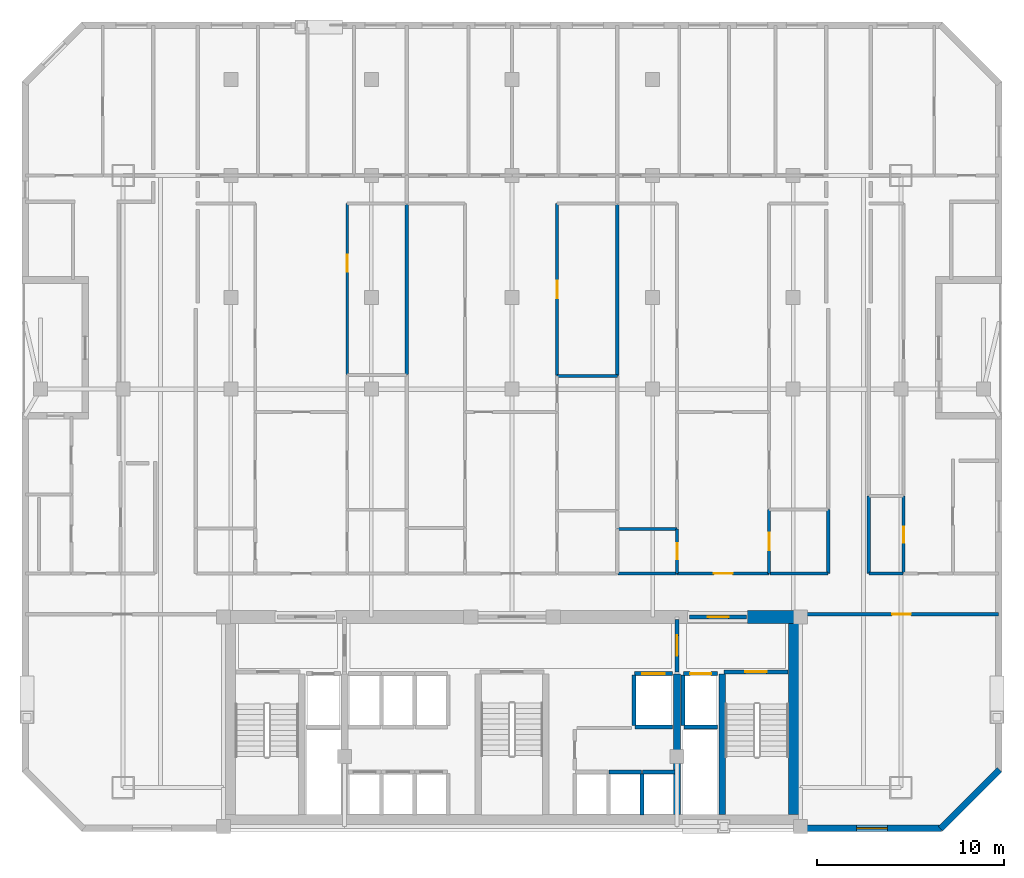
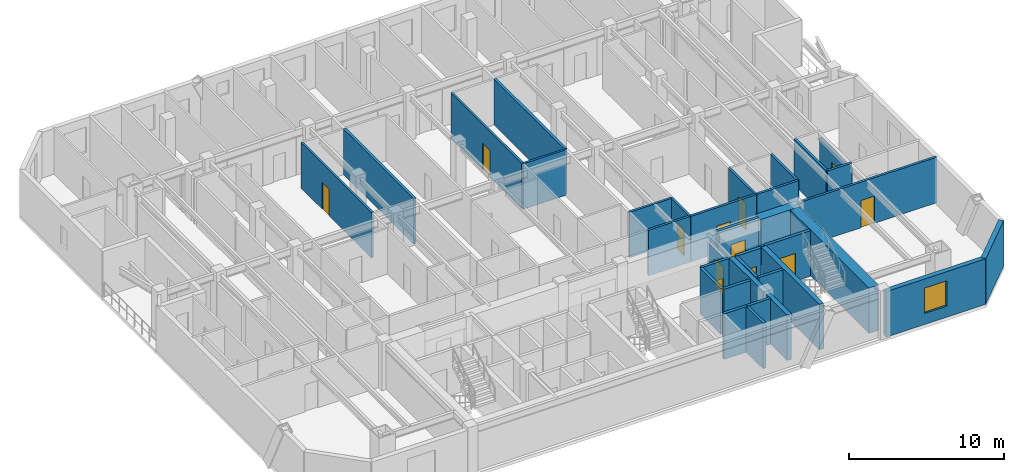
# One storey, part 5 of 11: 34 walls, 12 doors, 1 window, 13 openings.
"""IFC4 building model written with IfcOpenShell, lengths in metres."""

from ifc_helpers import new_model, si_unit, direction, frame, frame_2d, origin, place, context, subcontext, project, spatial, rectangle, extrude, material, layer, layer_set, type_object, element, fill, save


model = new_model("IFC4")

# Units and contexts
model_context = context("Model", 3, precision=1e-05, world=origin(), true_north=direction((0.0, 1.0)))
body_context = subcontext(model_context, "Body", "Model", "MODEL_VIEW")
ifc_project = project(units=[si_unit("LENGTHUNIT", "METRE"), si_unit("AREAUNIT", "SQUARE_METRE"), si_unit("VOLUMEUNIT", "CUBIC_METRE"), si_unit("PLANEANGLEUNIT", "RADIAN"), si_unit("MASSUNIT", "GRAM", prefix="KILO")], contexts=[model_context])

# Site, building, storey
site_placement = place(None, origin())
site = spatial("IfcSite", under=ifc_project, at=site_placement, CompositionType="ELEMENT")
building_placement = place(site_placement, origin())
building = spatial("IfcBuilding", under=site, at=building_placement, Name="Ventersveld Concourse Tower", CompositionType="ELEMENT")
storey_placement = place(building_placement, frame((0.0, 0.0, 111.85009765625)))
storey = spatial("IfcBuildingStorey", under=building, at=storey_placement, Name="L27", CompositionType="ELEMENT", Elevation=111.85009765625)

# Walls
ifc_material_1 = material(Name="Concrete C60/75", Category="concrete")
ifc_layer_1 = layer(ifc_material_1, 0.35009765625)
ifc_layer_set_1 = layer_set([ifc_layer_1], Name="Concrete C60/75")
wall_type_1 = type_object("IfcWallType", Name="WL-CORE-350L", PredefinedType="SHEAR", material=ifc_layer_set_1)
for number, where, z_axis, x_axis, name in (
    (1, (37.550048828125, 0.919921875, 0.0), (0.0, 0.0, 1.0), (0.0, 1.0, 0.0), "L27 Core Internal Shear Web W-SVL-W"),
    (2, (39.9599609375, 0.919921875, 0.0), (0.0, 0.0, 1.0), (0.0, 1.0, 0.0), "L27 Core Internal Shear Web W-ST2-W"),
):
    element("IfcWall", number, at=place(storey_placement, frame(where, z_axis=z_axis, x_axis=x_axis)), inside=storey, type_object=wall_type_1, Name=name, PredefinedType="SHEAR", context=body_context, shape_type="SweptSolid", body=[
        extrude(rectangle(XDim=7.5, YDim=0.35009765625, at=frame_2d((3.75, 0.0))), origin(), (0.0, 0.0, 1.0), 3.599853515625),
    ])
ifc_layer_2 = layer(ifc_material_1, 0.699951171875)
ifc_layer_set_2 = layer_set([ifc_layer_2], Name="Concrete C60/75")
wall_type_2 = type_object("IfcWallType", Name="WL-CORE-700", PredefinedType="SHEAR", material=ifc_layer_set_2)
wall_1_placement = place(storey_placement, frame((43.85009765625, 0.919921875, 0.0), z_axis=(0.0, 0.0, 1.0), x_axis=(0.0, 1.0, 0.0)))
element("IfcWall", 3, at=wall_1_placement, inside=storey, type_object=wall_type_2, Name="L27 Rear Core East Shear Wall", PredefinedType="SHEAR", context=body_context, shape_type="SweptSolid", body=[
    extrude(rectangle(XDim=10.530029296875, YDim=0.699951171875, at=frame_2d((5.26513671875, 0.0))), origin(), (0.0, 0.0, 1.0), 3.599853515625),
])
wall_2_placement = place(storey_placement, frame((41.300048828125, 11.449951171875, 0.0), z_axis=(0.0, 0.0, 1.0), x_axis=(1.0, 0.0, 0.0)))
element("IfcWall", 4, at=wall_2_placement, inside=storey, type_object=wall_type_2, Name="L27 Rear Core North Shear Wall NE", PredefinedType="SHEAR", context=body_context, shape_type="SweptSolid", body=[
    extrude(rectangle(XDim=2.949951171875, YDim=0.699951171875, at=frame_2d((1.47509765625, 0.0))), origin(), (0.0, 0.0, 1.0), 3.599853515625),
])

# Wall, opening, door
ifc_material_2 = material(Name="Fire-rated autoclaved aerated masonry blockwork", Category="masonry")
ifc_layer_3 = layer(ifc_material_2, 0.179931640625)
ifc_layer_set_3 = layer_set([ifc_layer_3], Name="Fire-rated autoclaved aerated masonry blockwork")
wall_type_3 = type_object("IfcWallType", Name="WL-CORR-180", PredefinedType="PARTITIONING", material=ifc_layer_set_3)
wall_3_placement = place(storey_placement, frame((44.35498046875, 11.60009765625, 0.0), z_axis=(0.0, 0.0, 1.0), x_axis=(1.0, 0.0, 0.0)))
wall_3 = element("IfcWall", 5, at=wall_3_placement, inside=storey, type_object=wall_type_3, Name="L27 Interior Partition SP-L27-SE-OFF-SP-L27-COR", PredefinedType="PARTITIONING", context=body_context, shape_type="SweptSolid", body=[
    extrude(rectangle(XDim=10.3349609375, YDim=0.179931640625, at=frame_2d((5.16748046875, 0.0))), origin(), (0.0, 0.0, 1.0), 3.599853515625),
])
opening_1_placement = place(wall_3_placement, frame((4.66748046875, 0.0, 0.0)))
opening_1 = element("IfcOpeningElement", 6, at=opening_1_placement, cuts=wall_3, Name="Opening FD3", PredefinedType="OPENING", context=body_context, shape_type="SweptSolid", body=[
    extrude(rectangle(XDim=1.0, YDim=2.14990234375, at=frame_2d((0.5, 1.074951171875))), frame((0.0, 0.10009765625, 0.0), z_axis=(0.0, -1.0, 0.0), x_axis=(1.0, 0.0, 0.0)), (0.0, 0.0, 1.0), 0.199951171875),
])
ifc_material_3 = material(Name="Solid-core hardwood veneer timber", Category="wood")
door_type_1 = type_object("IfcDoorType", Name="DR-FLAT-100", OperationType="NOTDEFINED", PredefinedType="DOOR", material=ifc_material_3)
door_1_placement = place(opening_1_placement, origin())
door_1 = element("IfcDoor", 7, at=door_1_placement, inside=storey, type_object=door_type_1, Name="L27 Interior Door SP-L27-SE-OFF to SP-L27-COR (D-L27-1321)", OperationType="SINGLE_SWING_LEFT", OverallHeight=2.14990234375, OverallWidth=1.0, PredefinedType="DOOR", context=body_context, shape_type="SweptSolid", body=[
    extrude(rectangle(XDim=1.0, YDim=2.14990234375, at=frame_2d((0.5, 1.074951171875))), frame((0.0, 0.02490234375, 0.0), z_axis=(0.0, -1.0, 0.0), x_axis=(1.0, 0.0, 0.0)), (0.0, 0.0, 1.0), 0.050048828125),
])
fill(opening_1, door_1)

# Walls
wall_4_placement = place(storey_placement, frame((47.7900390625, 13.764892578125, 0.0), z_axis=(0.0, 0.0, 1.0), x_axis=(0.0, 1.0, 0.0)))
element("IfcWall", 8, at=wall_4_placement, inside=storey, type_object=wall_type_3, Name="L27 Interior Partition SP-L27-COR-SP-L27-27NE-BATH", PredefinedType="PARTITIONING", context=body_context, shape_type="SweptSolid", body=[
    extrude(rectangle(XDim=4.136474609375, YDim=0.179931640625, at=frame_2d((2.068359375, 0.0))), origin(), (0.0, 0.0, 1.0), 3.599853515625),
])
wall_5_placement = place(storey_placement, frame((47.784912109375, 13.77001953125, 0.0), z_axis=(0.0, 0.0, 1.0), x_axis=(1.0, 0.0, 0.0)))
element("IfcWall", 9, at=wall_5_placement, inside=storey, type_object=wall_type_3, Name="L27 Interior Partition SP-L27-COR-SP-L27-27NE-BATH", PredefinedType="PARTITIONING", context=body_context, shape_type="SweptSolid", body=[
    extrude(rectangle(XDim=1.822509765625, YDim=0.179931640625, at=frame_2d((0.9111328125, 0.0))), origin(), (0.0, 0.0, 1.0), 3.599853515625),
])

# Wall, opening, door
wall_6_placement = place(storey_placement, frame((37.55419921875, 13.77001953125, 0.0), z_axis=(0.0, 0.0, 1.0), x_axis=(1.0, 0.0, 0.0)))
wall_6 = element("IfcWall", 10, at=wall_6_placement, inside=storey, type_object=wall_type_3, Name="L27 Interior Partition SP-L27-COR-SP-L27-27N3-FOY", PredefinedType="PARTITIONING", context=body_context, shape_type="SweptSolid", body=[
    extrude(rectangle(XDim=4.91748046875, YDim=0.179931640625, at=frame_2d((2.458740234375, 0.0))), origin(), (0.0, 0.0, 1.0), 3.599853515625),
])
opening_2_placement = place(wall_6_placement, frame((1.958740234375, 0.0, 0.0)))
opening_2 = element("IfcOpeningElement", 11, at=opening_2_placement, cuts=wall_6, Name="Opening FD3", PredefinedType="OPENING", context=body_context, shape_type="SweptSolid", body=[
    extrude(rectangle(XDim=1.0, YDim=2.14990234375, at=frame_2d((0.5, 1.074951171875))), frame((0.0, 0.10009765625, 0.0), z_axis=(0.0, -1.0, 0.0), x_axis=(1.0, 0.0, 0.0)), (0.0, 0.0, 1.0), 0.199951171875),
])
door_2_placement = place(opening_2_placement, origin())
door_2 = element("IfcDoor", 12, at=door_2_placement, inside=storey, type_object=door_type_1, Name="L27 Interior Door SP-L27-COR to SP-L27-27N3-FOY (FD-L27-1326)", OperationType="SINGLE_SWING_RIGHT", OverallHeight=2.14990234375, OverallWidth=1.0, PredefinedType="DOOR", context=body_context, shape_type="SweptSolid", body=[
    extrude(rectangle(XDim=1.0, YDim=2.14990234375, at=frame_2d((0.5, 1.074951171875))), frame((0.0, 0.02490234375, 0.0), z_axis=(0.0, -1.0, 0.0), x_axis=(1.0, 0.0, 0.0)), (0.0, 0.0, 1.0), 0.050048828125),
])
fill(opening_2, door_2)

# Walls
wall_7_placement = place(storey_placement, frame((34.405029296875, 13.77001953125, 0.0), z_axis=(0.0, 0.0, 1.0), x_axis=(1.0, 0.0, 0.0)))
element("IfcWall", 13, at=wall_7_placement, inside=storey, type_object=wall_type_3, Name="L27 Interior Partition SP-L27-COR-SP-L27-27N3-BATH", PredefinedType="PARTITIONING", context=body_context, shape_type="SweptSolid", body=[
    extrude(rectangle(XDim=3.119140625, YDim=0.179931640625, at=frame_2d((1.5595703125, 0.0))), origin(), (0.0, 0.0, 1.0), 3.599853515625),
])
wall_8_placement = place(storey_placement, frame((45.610107421875, 13.764892578125, 0.0), z_axis=(0.0, 0.0, 1.0), x_axis=(0.0, 1.0, 0.0)))
element("IfcWall", 14, at=wall_8_placement, inside=storey, type_object=wall_type_3, Name="L27 Interior Partition SP-L27-COR-SP-L27-27N3-KIT", PredefinedType="PARTITIONING", context=body_context, shape_type="SweptSolid", body=[
    extrude(rectangle(XDim=3.4296875, YDim=0.179931640625, at=frame_2d((1.71484375, 0.0))), origin(), (0.0, 0.0, 1.0), 3.599853515625),
])
wall_9_placement = place(storey_placement, frame((42.501708984375, 13.77001953125, 0.0), z_axis=(0.0, 0.0, 1.0), x_axis=(1.0, 0.0, 0.0)))
element("IfcWall", 15, at=wall_9_placement, inside=storey, type_object=wall_type_3, Name="L27 Interior Partition SP-L27-COR-SP-L27-27N3-KIT", PredefinedType="PARTITIONING", context=body_context, shape_type="SweptSolid", body=[
    extrude(rectangle(XDim=3.11328125, YDim=0.179931640625, at=frame_2d((1.556640625, 0.0))), origin(), (0.0, 0.0, 1.0), 3.599853515625),
])
ifc_layer_4 = layer(ifc_material_2, 0.199951171875)
ifc_layer_set_4 = layer_set([ifc_layer_4], Name="Fire-rated autoclaved aerated masonry blockwork")
wall_type_4 = type_object("IfcWallType", Name="WL-DEMISE-200", PredefinedType="PARTITIONING", material=ifc_layer_set_4)
wall_10_placement = place(storey_placement, frame((23.1298828125, 24.385009765625, 0.0), z_axis=(0.0, 0.0, 1.0), x_axis=(0.0, 1.0, 0.0)))
element("IfcWall", 16, at=wall_10_placement, inside=storey, type_object=wall_type_4, Name="L27 Interior Partition SP-L27-27N1-DENS-SP-L27-27N2-MEDL0", PredefinedType="PARTITIONING", context=body_context, shape_type="SweptSolid", body=[
    extrude(rectangle(XDim=9.080078125, YDim=0.199951171875, at=frame_2d((4.5400390625, 0.0))), origin(), (0.0, 0.0, 1.0), 3.599853515625),
])
wall_11_placement = place(storey_placement, frame((34.3701171875, 24.336181640625, 0.0), z_axis=(0.0, 0.0, 1.0), x_axis=(0.0, 1.0, 0.0)))
element("IfcWall", 17, at=wall_11_placement, inside=storey, type_object=wall_type_4, Name="L27 Interior Partition SP-L27-27N2-DENS-SP-L27-27N3-DENL", PredefinedType="PARTITIONING", context=body_context, shape_type="SweptSolid", body=[
    extrude(rectangle(XDim=9.12890625, YDim=0.199951171875, at=frame_2d((4.564453125, 0.0))), origin(), (0.0, 0.0, 1.0), 3.599853515625),
])
ifc_layer_5 = layer(ifc_material_2, 0.219970703125)
ifc_layer_set_5 = layer_set([ifc_layer_5], Name="Fire-rated autoclaved aerated masonry blockwork")
wall_type_5 = type_object("IfcWallType", Name="WL-HOIST-220", PredefinedType="SOLIDWALL", material=ifc_layer_set_5)
wall_12_placement = place(storey_placement, frame((37.919921875, 5.590087890625, 0.0), z_axis=(0.0, 0.0, 1.0), x_axis=(1.0, 0.0, 0.0)))
element("IfcWall", 18, at=wall_12_placement, inside=storey, type_object=wall_type_5, Name="L27 Lift Hoistway Back Wall FFL-02", PredefinedType="SOLIDWALL", context=body_context, shape_type="SweptSolid", body=[
    extrude(rectangle(XDim=1.780029296875, YDim=0.219970703125, at=frame_2d((0.89013671875, 0.0))), origin(), (0.0, 0.0, 1.0), 3.599853515625),
])
wall_13_placement = place(storey_placement, frame((37.8798828125, 5.64990234375, 0.0), z_axis=(0.0, 0.0, 1.0), x_axis=(0.0, 1.0, 0.0)))
element("IfcWall", 19, at=wall_13_placement, inside=storey, type_object=wall_type_5, Name="L27 Lift Hoistway Side Wall FFL-02W", PredefinedType="SOLIDWALL", context=body_context, shape_type="SweptSolid", body=[
    extrude(rectangle(XDim=2.7001953125, YDim=0.219970703125, at=frame_2d((1.35009765625, 0.0))), origin(), (0.0, 0.0, 1.0), 3.599853515625),
])

# Wall, opening, door
wall_14_placement = place(storey_placement, frame((37.89990234375, 8.429931640625, 0.0), z_axis=(0.0, 0.0, 1.0), x_axis=(1.0, 0.0, 0.0)))
wall_14 = element("IfcWall", 20, at=wall_14_placement, inside=storey, type_object=wall_type_5, Name="L27 Lift Hoistway Front Wall FFL-02", PredefinedType="SOLIDWALL", context=body_context, shape_type="SweptSolid", body=[
    extrude(rectangle(XDim=1.820068359375, YDim=0.219970703125, at=frame_2d((0.91015625, 0.0))), origin(), (0.0, 0.0, 1.0), 3.599853515625),
])
opening_3_placement = place(wall_14_placement, frame((0.35009765625, 0.0, 0.0)))
opening_3 = element("IfcOpeningElement", 21, at=opening_3_placement, cuts=wall_14, Name="Opening LD1", PredefinedType="OPENING", context=body_context, shape_type="SweptSolid", body=[
    extrude(rectangle(XDim=1.1201171875, YDim=2.25, at=frame_2d((0.56005859375, 1.125))), frame((0.0, 0.1201171875, 0.0), z_axis=(0.0, -1.0, 0.0), x_axis=(1.0, 0.0, 0.0)), (0.0, 0.0, 1.0), 0.239990234375),
])
ifc_material_4 = material(Name="Brushed stainless steel 316", Category="steel")
door_type_2 = type_object("IfcDoorType", Name="LD-FF-112", OperationType="SLIDING_TO_LEFT", PredefinedType="DOOR", material=ifc_material_4)
door_3_placement = place(opening_3_placement, origin())
door_3 = element("IfcDoor", 22, at=door_3_placement, inside=storey, type_object=door_type_2, Name="L27 Lift landing door FFL-02 (LD-L27-FFL-02)", OperationType="SLIDING_TO_RIGHT", OverallHeight=2.25, OverallWidth=1.1201171875, PredefinedType="DOOR", context=body_context, shape_type="SweptSolid", body=[
    extrude(rectangle(XDim=1.1201171875, YDim=2.25, at=frame_2d((0.56005859375, 1.125))), frame((0.0, 0.02490234375, 0.0), z_axis=(0.0, -1.0, 0.0), x_axis=(1.0, 0.0, 0.0)), (0.0, 0.0, 1.0), 0.050048828125),
])
fill(opening_3, door_3)

# Walls
wall_15_placement = place(storey_placement, frame((35.300048828125, 5.590087890625, 0.0), z_axis=(0.0, 0.0, 1.0), x_axis=(1.0, 0.0, 0.0)))
element("IfcWall", 23, at=wall_15_placement, inside=storey, type_object=wall_type_5, Name="L27 Lift Hoistway Back Wall SVL-01", PredefinedType="SOLIDWALL", context=body_context, shape_type="SweptSolid", body=[
    extrude(rectangle(XDim=2.0, YDim=0.219970703125, at=frame_2d((1.0, 0.0))), origin(), (0.0, 0.0, 1.0), 3.599853515625),
])
wall_16_placement = place(storey_placement, frame((35.260009765625, 5.64990234375, 0.0), z_axis=(0.0, 0.0, 1.0), x_axis=(0.0, 1.0, 0.0)))
element("IfcWall", 24, at=wall_16_placement, inside=storey, type_object=wall_type_5, Name="L27 Lift Hoistway Side Wall SVL-01W", PredefinedType="SOLIDWALL", context=body_context, shape_type="SweptSolid", body=[
    extrude(rectangle(XDim=2.7001953125, YDim=0.219970703125, at=frame_2d((1.35009765625, 0.0))), origin(), (0.0, 0.0, 1.0), 3.599853515625),
])

# Wall, opening, door
wall_17_placement = place(storey_placement, frame((35.280029296875, 8.429931640625, 0.0), z_axis=(0.0, 0.0, 1.0), x_axis=(1.0, 0.0, 0.0)))
wall_17 = element("IfcWall", 25, at=wall_17_placement, inside=storey, type_object=wall_type_5, Name="L27 Lift Hoistway Front Wall SVL-01", PredefinedType="SOLIDWALL", context=body_context, shape_type="SweptSolid", body=[
    extrude(rectangle(XDim=2.0400390625, YDim=0.219970703125, at=frame_2d((1.02001953125, 0.0))), origin(), (0.0, 0.0, 1.0), 3.599853515625),
])
opening_4_placement = place(wall_17_placement, frame((0.429931640625, 0.0, 0.0)))
opening_4 = element("IfcOpeningElement", 26, at=opening_4_placement, cuts=wall_17, Name="Opening LD2", PredefinedType="OPENING", context=body_context, shape_type="SweptSolid", body=[
    extrude(rectangle(XDim=1.179931640625, YDim=2.199951171875, at=frame_2d((0.58984375, 1.10009765625))), frame((0.0, 0.1201171875, 0.0), z_axis=(0.0, -1.0, 0.0), x_axis=(1.0, 0.0, 0.0)), (0.0, 0.0, 1.0), 0.239990234375),
])
door_type_3 = type_object("IfcDoorType", Name="LD-PAX-118", OperationType="SLIDING_TO_LEFT", PredefinedType="DOOR", material=ifc_material_4)
door_4_placement = place(opening_4_placement, origin())
door_4 = element("IfcDoor", 27, at=door_4_placement, inside=storey, type_object=door_type_3, Name="L27 Lift landing door SVL-01 (LD-L27-SVL-01)", OperationType="SLIDING_TO_LEFT", OverallHeight=2.199951171875, OverallWidth=1.179931640625, PredefinedType="DOOR", context=body_context, shape_type="SweptSolid", body=[
    extrude(rectangle(XDim=1.179931640625, YDim=2.199951171875, at=frame_2d((0.58984375, 1.10009765625))), frame((0.0, 0.02490234375, 0.0), z_axis=(0.0, -1.0, 0.0), x_axis=(1.0, 0.0, 0.0)), (0.0, 0.0, 1.0), 0.050048828125),
])
fill(opening_4, door_4)

# Walls
wall_18_placement = place(storey_placement, frame((35.679931640625, 0.89990234375, 0.0), z_axis=(0.0, 0.0, 1.0), x_axis=(0.0, 1.0, 0.0)))
element("IfcWall", 28, at=wall_18_placement, inside=storey, type_object=wall_type_5, Name="L27 Lift Hoistway Side Wall PM-02E", PredefinedType="SOLIDWALL", context=body_context, shape_type="SweptSolid", body=[
    extrude(rectangle(XDim=2.2001953125, YDim=0.219970703125, at=frame_2d((1.10009765625, 0.0))), origin(), (0.0, 0.0, 1.0), 3.599853515625),
])
for number, where, z_axis, x_axis, name in (
    (29, (33.919921875, 3.179931640625, 0.0), (0.0, 0.0, 1.0), (1.0, 0.0, 0.0), "L27 Lift Hoistway Front Wall PM-02"),
    (30, (35.699951171875, 3.179931640625, 0.0), (0.0, 0.0, 1.0), (1.0, 0.0, 0.0), "L27 Lift Hoistway Front Wall PM-03"),
):
    element("IfcWall", number, at=place(storey_placement, frame(where, z_axis=z_axis, x_axis=x_axis)), inside=storey, type_object=wall_type_5, Name=name, PredefinedType="SOLIDWALL", context=body_context, shape_type="SweptSolid", body=[
        extrude(rectangle(XDim=1.739990234375, YDim=0.219970703125, at=frame_2d((0.8701171875, 0.0))), origin(), (0.0, 0.0, 1.0), 3.599853515625),
    ])

# Wall, opening, door
wall_19_placement = place(storey_placement, frame((40.06005859375, 8.52001953125, 0.0), z_axis=(0.0, 0.0, 1.0), x_axis=(1.0, 0.0, 0.0)))
wall_19 = element("IfcWall", 31, at=wall_19_placement, inside=storey, type_object=wall_type_5, Name="L27 Escape Stair ST02 Fire Wall", PredefinedType="SOLIDWALL", context=body_context, shape_type="SweptSolid", body=[
    extrude(rectangle(XDim=3.39990234375, YDim=0.219970703125, at=frame_2d((1.699951171875, 0.0))), origin(), (0.0, 0.0, 1.0), 3.599853515625),
])
opening_5_placement = place(wall_19_placement, frame((1.125, 0.0, 0.0)))
opening_5 = element("IfcOpeningElement", 32, at=opening_5_placement, cuts=wall_19, Name="Opening FD1", PredefinedType="OPENING", context=body_context, shape_type="SweptSolid", body=[
    extrude(rectangle(XDim=1.14990234375, YDim=2.199951171875, at=frame_2d((0.574951171875, 1.10009765625))), frame((0.0, 0.1201171875, 0.0), z_axis=(0.0, -1.0, 0.0), x_axis=(1.0, 0.0, 0.0)), (0.0, 0.0, 1.0), 0.239990234375),
])
ifc_material_5 = material(Name="Galvanised painted steel", Category="steel")
door_type_4 = type_object("IfcDoorType", Name="DR-STAIR-115", OperationType="NOTDEFINED", PredefinedType="DOOR", material=ifc_material_5)
door_5_placement = place(opening_5_placement, origin())
door_5 = element("IfcDoor", 33, at=door_5_placement, inside=storey, type_object=door_type_4, Name="L27 Escape Stair Door ST02 (SD-L27-1312)", OperationType="SINGLE_SWING_RIGHT", OverallHeight=2.199951171875, OverallWidth=1.14990234375, PredefinedType="DOOR", context=body_context, shape_type="SweptSolid", body=[
    extrude(rectangle(XDim=1.14990234375, YDim=2.199951171875, at=frame_2d((0.574951171875, 1.10009765625))), frame((0.0, 0.02490234375, 0.0), z_axis=(0.0, -1.0, 0.0), x_axis=(1.0, 0.0, 0.0)), (0.0, 0.0, 1.0), 0.050048828125),
])
fill(opening_5, door_5)

wall_20_placement = place(storey_placement, frame((37.550048828125, 8.52001953125, 0.0), z_axis=(0.0, 0.0, 1.0), x_axis=(0.0, 1.0, 0.0)))
wall_20 = element("IfcWall", 34, at=wall_20_placement, inside=storey, type_object=wall_type_5, Name="L27 Firefighting Lobby Smoke-Stop Wall FFLE-SEP", PredefinedType="SOLIDWALL", context=body_context, shape_type="SweptSolid", body=[
    extrude(rectangle(XDim=2.800048828125, YDim=0.219970703125, at=frame_2d((1.39990234375, 0.0))), origin(), (0.0, 0.0, 1.0), 3.055419921875),
])
opening_6_placement = place(wall_20_placement, frame((0.85009765625, 0.0, 0.0)))
opening_6 = element("IfcOpeningElement", 35, at=opening_6_placement, cuts=wall_20, Name="Opening FD2", PredefinedType="OPENING", context=body_context, shape_type="SweptSolid", body=[
    extrude(rectangle(XDim=1.10009765625, YDim=2.199951171875, at=frame_2d((0.550048828125, 1.10009765625))), frame((0.0, 0.1201171875, 0.0), z_axis=(0.0, -1.0, 0.0), x_axis=(1.0, 0.0, 0.0)), (0.0, 0.0, 1.0), 0.239990234375),
])
door_type_5 = type_object("IfcDoorType", Name="DR-FFL-110", OperationType="NOTDEFINED", PredefinedType="DOOR", material=ifc_material_5)
door_6_placement = place(opening_6_placement, origin())
door_6 = element("IfcDoor", 36, at=door_6_placement, inside=storey, type_object=door_type_5, Name="L27 Firefighting Lobby Door FFLE-SEP (FD-L27-1315)", OperationType="SINGLE_SWING_RIGHT", OverallHeight=2.199951171875, OverallWidth=1.10009765625, PredefinedType="DOOR", context=body_context, shape_type="SweptSolid", body=[
    extrude(rectangle(XDim=1.10009765625, YDim=2.199951171875, at=frame_2d((0.550048828125, 1.10009765625))), frame((0.0, 0.02490234375, 0.0), z_axis=(0.0, -1.0, 0.0), x_axis=(1.0, 0.0, 0.0)), (0.0, 0.0, 1.0), 0.050048828125),
])
fill(opening_6, door_6)

wall_21_placement = place(storey_placement, frame((38.22998046875, 11.449951171875, 0.0), z_axis=(0.0, 0.0, 1.0), x_axis=(1.0, 0.0, 0.0)))
wall_21 = element("IfcWall", 37, at=wall_21_placement, inside=storey, type_object=wall_type_5, Name="L27 Core North Fire Portal FFLE-OUT", PredefinedType="SOLIDWALL", context=body_context, shape_type="SweptSolid", body=[
    extrude(rectangle(XDim=3.0400390625, YDim=0.219970703125, at=frame_2d((1.52001953125, 0.0))), origin(), (0.0, 0.0, 1.0), 3.599853515625),
])
opening_7_placement = place(wall_21_placement, frame((0.969970703125, 0.0, 0.0)))
opening_7 = element("IfcOpeningElement", 38, at=opening_7_placement, cuts=wall_21, Name="Opening FD2", PredefinedType="OPENING", context=body_context, shape_type="SweptSolid", body=[
    extrude(rectangle(XDim=1.10009765625, YDim=2.199951171875, at=frame_2d((0.550048828125, 1.10009765625))), frame((0.0, 0.1201171875, 0.0), z_axis=(0.0, -1.0, 0.0), x_axis=(1.0, 0.0, 0.0)), (0.0, 0.0, 1.0), 0.239990234375),
])
door_7_placement = place(opening_7_placement, origin())
door_7 = element("IfcDoor", 39, at=door_7_placement, inside=storey, type_object=door_type_5, Name="L27 Core Lobby Fire Door FFLE-OUT (FD-L27-1318)", OperationType="SINGLE_SWING_LEFT", OverallHeight=2.199951171875, OverallWidth=1.10009765625, PredefinedType="DOOR", context=body_context, shape_type="SweptSolid", body=[
    extrude(rectangle(XDim=1.10009765625, YDim=2.199951171875, at=frame_2d((0.550048828125, 1.10009765625))), frame((0.0, 0.02490234375, 0.0), z_axis=(0.0, -1.0, 0.0), x_axis=(1.0, 0.0, 0.0)), (0.0, 0.0, 1.0), 0.050048828125),
])
fill(opening_7, door_7)

ifc_material_6 = material(Name="Autoclaved aerated masonry blockwork", Category="masonry")
ifc_layer_6 = layer(ifc_material_6, 0.14990234375)
ifc_layer_set_6 = layer_set([ifc_layer_6], Name="Autoclaved aerated masonry blockwork")
wall_type_6 = type_object("IfcWallType", Name="WL-INT-150", PredefinedType="PARTITIONING", material=ifc_layer_set_6)
wall_22_placement = place(storey_placement, frame((19.9638671875, 24.385009765625, 0.0), z_axis=(0.0, 0.0, 1.0), x_axis=(0.0, 1.0, 0.0)))
wall_22 = element("IfcWall", 40, at=wall_22_placement, inside=storey, type_object=wall_type_6, Name="L27 Interior Partition SP-L27-27N1-LIV-SP-L27-27N1-DENS", PredefinedType="PARTITIONING", context=body_context, shape_type="SweptSolid", body=[
    extrude(rectangle(XDim=9.119873046875, YDim=0.14990234375, at=frame_2d((4.56005859375, 0.0))), origin(), (0.0, 0.0, 1.0), 3.599853515625),
])
opening_8_placement = place(wall_22_placement, frame((5.468017578125, 0.0, 0.0)))
opening_8 = element("IfcOpeningElement", 41, at=opening_8_placement, cuts=wall_22, Name="Opening ID1", PredefinedType="OPENING", context=body_context, shape_type="SweptSolid", body=[
    extrude(rectangle(XDim=0.919921875, YDim=2.10009765625, at=frame_2d((0.4599609375, 1.050048828125))), frame((0.0, 0.0849609375, 0.0), z_axis=(0.0, -1.0, 0.0), x_axis=(1.0, 0.0, 0.0)), (0.0, 0.0, 1.0), 0.169921875),
])
door_type_6 = type_object("IfcDoorType", Name="DR-ROOM-092", OperationType="NOTDEFINED", PredefinedType="DOOR", material=ifc_material_3)
door_8_placement = place(opening_8_placement, origin())
door_8 = element("IfcDoor", 42, at=door_8_placement, inside=storey, type_object=door_type_6, Name="L27 Interior Door SP-L27-27N1-LIV to SP-L27-27N1-DENS (D-L27-1344)", OperationType="SINGLE_SWING_RIGHT", OverallHeight=2.10009765625, OverallWidth=0.919921875, PredefinedType="DOOR", context=body_context, shape_type="SweptSolid", body=[
    extrude(rectangle(XDim=0.919921875, YDim=2.10009765625, at=frame_2d((0.4599609375, 1.050048828125))), frame((0.0, 0.02490234375, 0.0), z_axis=(0.0, -1.0, 0.0), x_axis=(1.0, 0.0, 0.0)), (0.0, 0.0, 1.0), 0.050048828125),
])
fill(opening_8, door_8)

wall_23_placement = place(storey_placement, frame((31.15771484375, 24.336181640625, 0.0), z_axis=(0.0, 0.0, 1.0), x_axis=(0.0, 1.0, 0.0)))
wall_23 = element("IfcWall", 43, at=wall_23_placement, inside=storey, type_object=wall_type_6, Name="L27 Interior Partition SP-L27-27N2-LIV-SP-L27-27N2-DENS", PredefinedType="PARTITIONING", context=body_context, shape_type="SweptSolid", body=[
    extrude(rectangle(XDim=9.168701171875, YDim=0.14990234375, at=frame_2d((4.58447265625, 0.0))), origin(), (0.0, 0.0, 1.0), 3.599853515625),
])
opening_9_placement = place(wall_23_placement, frame((4.12451171875, 0.0, 0.0)))
opening_9 = element("IfcOpeningElement", 44, at=opening_9_placement, cuts=wall_23, Name="Opening ID1", PredefinedType="OPENING", context=body_context, shape_type="SweptSolid", body=[
    extrude(rectangle(XDim=0.919921875, YDim=2.10009765625, at=frame_2d((0.4599609375, 1.050048828125))), frame((0.0, 0.0849609375, 0.0), z_axis=(0.0, -1.0, 0.0), x_axis=(1.0, 0.0, 0.0)), (0.0, 0.0, 1.0), 0.169921875),
])
door_9_placement = place(opening_9_placement, origin())
door_9 = element("IfcDoor", 45, at=door_9_placement, inside=storey, type_object=door_type_6, Name="L27 Interior Door SP-L27-27N2-LIV to SP-L27-27N2-DENS (D-L27-1356)", OperationType="SINGLE_SWING_RIGHT", OverallHeight=2.10009765625, OverallWidth=0.919921875, PredefinedType="DOOR", context=body_context, shape_type="SweptSolid", body=[
    extrude(rectangle(XDim=0.919921875, YDim=2.10009765625, at=frame_2d((0.4599609375, 1.050048828125))), frame((0.0, 0.02490234375, 0.0), z_axis=(0.0, -1.0, 0.0), x_axis=(1.0, 0.0, 0.0)), (0.0, 0.0, 1.0), 0.050048828125),
])
fill(opening_9, door_9)

# Wall
wall_24_placement = place(storey_placement, frame((31.15283203125, 24.30126953125, 0.0), z_axis=(0.0, 0.0, 1.0), x_axis=(1.0, 0.0, 0.0)))
element("IfcWall", 46, at=wall_24_placement, inside=storey, type_object=wall_type_6, Name="L27 Interior Partition SP-L27-27N2-DENR-SP-L27-27N2-DENS", PredefinedType="PARTITIONING", context=body_context, shape_type="SweptSolid", body=[
    extrude(rectangle(XDim=3.22216796875, YDim=0.14990234375, at=frame_2d((1.611083984375, 0.0))), origin(), (0.0, 0.0, 1.0), 3.599853515625),
])

# Wall, opening, door
wall_25_placement = place(storey_placement, frame((42.466796875, 13.764892578125, 0.0), z_axis=(0.0, 0.0, 1.0), x_axis=(0.0, 1.0, 0.0)))
wall_25 = element("IfcWall", 47, at=wall_25_placement, inside=storey, type_object=wall_type_6, Name="L27 Interior Partition SP-L27-27N3-FOY-SP-L27-27N3-KIT", PredefinedType="PARTITIONING", context=body_context, shape_type="SweptSolid", body=[
    extrude(rectangle(XDim=3.4296875, YDim=0.14990234375, at=frame_2d((1.71484375, 0.0))), origin(), (0.0, 0.0, 1.0), 3.599853515625),
])
opening_10_placement = place(wall_25_placement, frame((1.2548828125, 0.0, 0.0)))
opening_10 = element("IfcOpeningElement", 48, at=opening_10_placement, cuts=wall_25, Name="Opening ID1", PredefinedType="OPENING", context=body_context, shape_type="SweptSolid", body=[
    extrude(rectangle(XDim=0.919921875, YDim=2.10009765625, at=frame_2d((0.4599609375, 1.050048828125))), frame((0.0, 0.0849609375, 0.0), z_axis=(0.0, -1.0, 0.0), x_axis=(1.0, 0.0, 0.0)), (0.0, 0.0, 1.0), 0.169921875),
])
door_10_placement = place(opening_10_placement, origin())
door_10 = element("IfcDoor", 49, at=door_10_placement, inside=storey, type_object=door_type_6, Name="L27 Interior Door SP-L27-27N3-FOY to SP-L27-27N3-KIT (D-L27-1364)", OperationType="SINGLE_SWING_RIGHT", OverallHeight=2.10009765625, OverallWidth=0.919921875, PredefinedType="DOOR", context=body_context, shape_type="SweptSolid", body=[
    extrude(rectangle(XDim=0.919921875, YDim=2.10009765625, at=frame_2d((0.4599609375, 1.050048828125))), frame((0.0, 0.02490234375, 0.0), z_axis=(0.0, -1.0, 0.0), x_axis=(1.0, 0.0, 0.0)), (0.0, 0.0, 1.0), 0.050048828125),
])
fill(opening_10, door_10)

# Wall, opening, window
ifc_material_7 = material(Name="Precast concrete C45/55", Category="concrete")
ifc_layer_7 = layer(ifc_material_7, 0.35009765625)
ifc_layer_set_7 = layer_set([ifc_layer_7], Name="Precast concrete C45/55")
wall_type_7 = type_object("IfcWallType", Name="WL-PREC-350", PredefinedType="SOLIDWALL", material=ifc_layer_set_7)
wall_26_placement = place(storey_placement, frame((44.25, 0.179931640625, 0.0), z_axis=(0.0, 0.0, 1.0), x_axis=(1.0, 0.0, 0.0)))
wall_26 = element("IfcWall", 50, at=wall_26_placement, inside=storey, type_object=wall_type_7, Name="L27 South-East Flank Precast Wall", PredefinedType="SOLIDWALL", context=body_context, shape_type="SweptSolid", body=[
    extrude(rectangle(XDim=7.409912109375, YDim=0.35009765625, at=frame_2d((3.705078125, 0.0))), origin(), (0.0, 0.0, 1.0), 3.599853515625),
])
opening_11_placement = place(wall_26_placement, frame((2.8798828125, 0.0, 0.8798828125)))
opening_11 = element("IfcOpeningElement", 51, at=opening_11_placement, cuts=wall_26, Name="Opening W6", PredefinedType="OPENING", context=body_context, shape_type="SweptSolid", body=[
    extrude(rectangle(XDim=1.64990234375, YDim=2.0, at=frame_2d((0.824951171875, 1.0))), frame((0.0, 0.18505859375, 0.0), z_axis=(0.0, -1.0, 0.0), x_axis=(1.0, 0.0, 0.0)), (0.0, 0.0, 1.0), 0.3701171875),
])
ifc_material_8 = material(Name="Tempered acoustic Low-E IGU", Category="glass")
window_type = type_object("IfcWindowType", Name="WIN-165x200", PartitioningType="SINGLE_PANEL", PredefinedType="WINDOW", material=ifc_material_8)
window_placement = place(opening_11_placement, origin())
window = element("IfcWindow", 52, at=window_placement, inside=storey, type_object=window_type, Name="L27 Punched Low-E Window W-0320", OverallHeight=2.0, OverallWidth=1.64990234375, PartitioningType="SINGLE_PANEL", PredefinedType="WINDOW", context=body_context, shape_type="SweptSolid", body=[
    extrude(rectangle(XDim=1.64990234375, YDim=2.0, at=frame_2d((0.824951171875, 1.0))), frame((0.0, 0.030029296875, 0.0), z_axis=(0.0, -1.0, 0.0), x_axis=(1.0, 0.0, 0.0)), (0.0, 0.0, 1.0), 0.06005859375),
])
fill(opening_11, window)

# Wall
wall_27_placement = place(storey_placement, frame((51.6044921875, 0.152099609375, 0.0), z_axis=(0.0, 0.0, 1.0), x_axis=(0.707134240044, 0.707079321262, 0.0)))
element("IfcWall", 53, at=wall_27_placement, inside=storey, type_object=wall_type_7, Name="L27 Highveld Precast Facade Wall E02", PredefinedType="SOLIDWALL", context=body_context, shape_type="SweptSolid", body=[
    extrude(rectangle(XDim=4.445556640625, YDim=0.35009765625, at=frame_2d((2.22265625, 0.0))), origin(), (0.0, 0.0, 1.0), 3.599853515625),
])

# Wall, opening, door
ifc_layer_8 = layer(ifc_material_6, 0.1650390625)
ifc_layer_set_8 = layer_set([ifc_layer_8], Name="Autoclaved aerated masonry blockwork")
wall_type_8 = type_object("IfcWallType", Name="WL-WET-165", PredefinedType="PLUMBINGWALL", material=ifc_layer_set_8)
wall_28_placement = place(storey_placement, frame((49.642333984375, 13.764892578125, 0.0), z_axis=(0.0, 0.0, 1.0), x_axis=(0.0, 1.0, 0.0)))
wall_28 = element("IfcWall", 54, at=wall_28_placement, inside=storey, type_object=wall_type_8, Name="L27 Interior Partition SP-L27-27NE-LIV-SP-L27-27NE-BATH", PredefinedType="PLUMBINGWALL", context=body_context, shape_type="SweptSolid", body=[
    extrude(rectangle(XDim=4.136474609375, YDim=0.1650390625, at=frame_2d((2.068359375, 0.0))), origin(), (0.0, 0.0, 1.0), 3.055419921875),
])
opening_12_placement = place(wall_28_placement, frame((1.643310546875, 0.0, 0.0)))
opening_12 = element("IfcOpeningElement", 55, at=opening_12_placement, cuts=wall_28, Name="Opening ID2", PredefinedType="OPENING", context=body_context, shape_type="SweptSolid", body=[
    extrude(rectangle(XDim=0.85009765625, YDim=2.10009765625, at=frame_2d((0.425048828125, 1.050048828125))), frame((0.0, 0.092529296875, 0.0), z_axis=(0.0, -1.0, 0.0), x_axis=(1.0, 0.0, 0.0)), (0.0, 0.0, 1.0), 0.18505859375),
])
door_type_7 = type_object("IfcDoorType", Name="DR-BATH-085", OperationType="NOTDEFINED", PredefinedType="DOOR", material=ifc_material_3)
door_11_placement = place(opening_12_placement, origin())
door_11 = element("IfcDoor", 56, at=door_11_placement, inside=storey, type_object=door_type_7, Name="L27 Interior Door SP-L27-27NE-LIV to SP-L27-27NE-BATH (D-L27-1332)", OperationType="SINGLE_SWING_RIGHT", OverallHeight=2.10009765625, OverallWidth=0.85009765625, PredefinedType="DOOR", context=body_context, shape_type="SweptSolid", body=[
    extrude(rectangle(XDim=0.85009765625, YDim=2.10009765625, at=frame_2d((0.425048828125, 1.050048828125))), frame((0.0, 0.02490234375, 0.0), z_axis=(0.0, -1.0, 0.0), x_axis=(1.0, 0.0, 0.0)), (0.0, 0.0, 1.0), 0.050048828125),
])
fill(opening_12, door_11)

wall_29_placement = place(storey_placement, frame((37.55908203125, 13.764892578125, 0.0), z_axis=(0.0, 0.0, 1.0), x_axis=(0.0, 1.0, 0.0)))
wall_29 = element("IfcWall", 57, at=wall_29_placement, inside=storey, type_object=wall_type_8, Name="L27 Interior Partition SP-L27-27N3-FOY-SP-L27-27N3-BATH", PredefinedType="PLUMBINGWALL", context=body_context, shape_type="SweptSolid", body=[
    extrude(rectangle(XDim=2.38330078125, YDim=0.1650390625, at=frame_2d((1.191650390625, 0.0))), origin(), (0.0, 0.0, 1.0), 3.599853515625),
])
opening_13_placement = place(wall_29_placement, frame((0.7666015625, 0.0, 0.0)))
opening_13 = element("IfcOpeningElement", 58, at=opening_13_placement, cuts=wall_29, Name="Opening ID2", PredefinedType="OPENING", context=body_context, shape_type="SweptSolid", body=[
    extrude(rectangle(XDim=0.85009765625, YDim=2.10009765625, at=frame_2d((0.425048828125, 1.050048828125))), frame((0.0, 0.092529296875, 0.0), z_axis=(0.0, -1.0, 0.0), x_axis=(1.0, 0.0, 0.0)), (0.0, 0.0, 1.0), 0.18505859375),
])
door_12_placement = place(opening_13_placement, origin())
door_12 = element("IfcDoor", 59, at=door_12_placement, inside=storey, type_object=door_type_7, Name="L27 Interior Door SP-L27-27N3-FOY to SP-L27-27N3-BATH (D-L27-1362)", OperationType="SINGLE_SWING_RIGHT", OverallHeight=2.10009765625, OverallWidth=0.85009765625, PredefinedType="DOOR", context=body_context, shape_type="SweptSolid", body=[
    extrude(rectangle(XDim=0.85009765625, YDim=2.10009765625, at=frame_2d((0.425048828125, 1.050048828125))), frame((0.0, 0.02490234375, 0.0), z_axis=(0.0, -1.0, 0.0), x_axis=(1.0, 0.0, 0.0)), (0.0, 0.0, 1.0), 0.050048828125),
])
fill(opening_13, door_12)

# Wall
wall_30_placement = place(storey_placement, frame((34.364990234375, 16.143310546875, 0.0), z_axis=(0.0, 0.0, 1.0), x_axis=(1.0, 0.0, 0.0)))
element("IfcWall", 60, at=wall_30_placement, inside=storey, type_object=wall_type_8, Name="L27 Interior Partition SP-L27-27N3-BATH-SP-L27-27N3-DENL", PredefinedType="PLUMBINGWALL", context=body_context, shape_type="SweptSolid", body=[
    extrude(rectangle(XDim=3.19921875, YDim=0.1650390625, at=frame_2d((1.599609375, 0.0))), origin(), (0.0, 0.0, 1.0), 3.599853515625),
])

save(model, "model.ifc")
